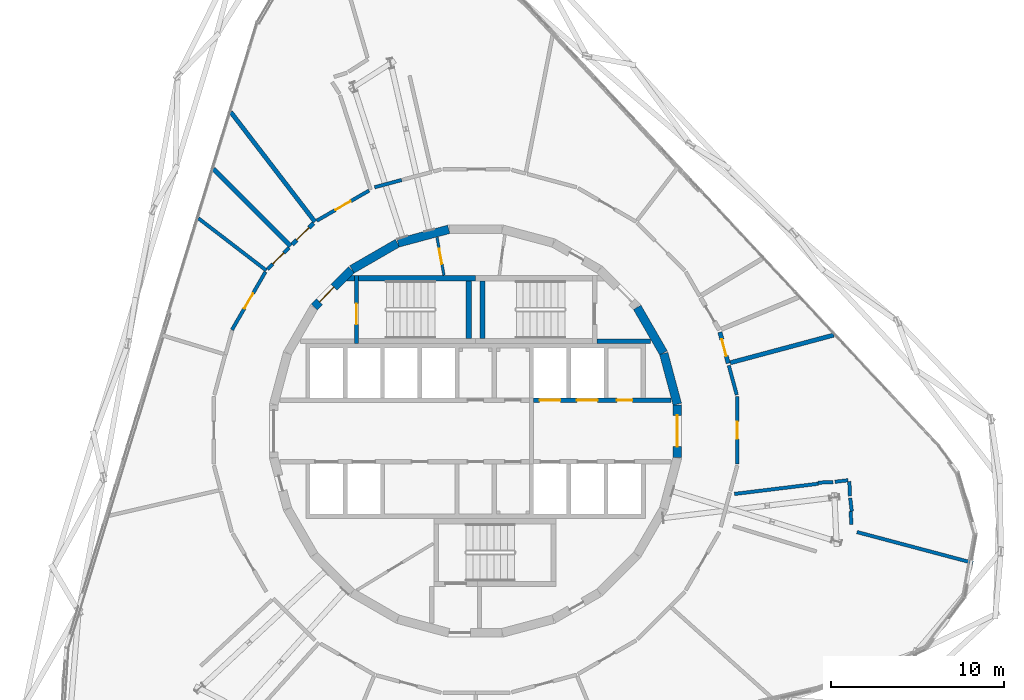
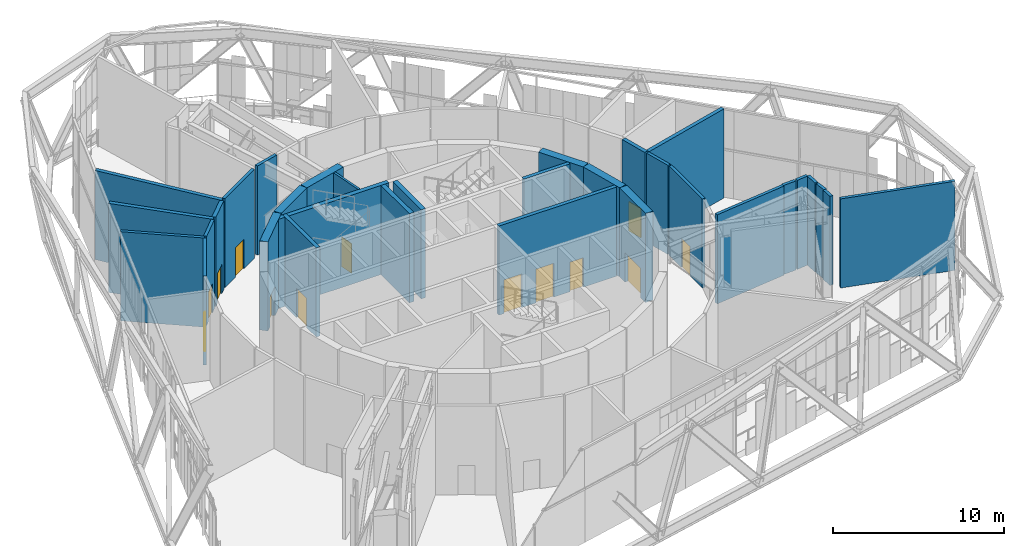
# One storey, part 21 of 25: 33 walls, 13 doors, 13 openings.
"""IFC4 building model written with IfcOpenShell, lengths in metres."""

import ifcopenshell
import ifcopenshell.guid

model = None  # the IFC model being written
_history = None  # IfcOwnerHistory: only IFC2X3 demands one
_inside = {}  # id of a spatial element -> (the spatial element, [elements in it])
_under = {}  # id of a project, library or spatial element -> (it, [spatial elements below it])
_declared = {}  # id of a project -> (the project, [libraries it declares])
_typed = {}  # id of a type object -> (the type object, [elements of that type])
_made_of = {}  # id of a material, layer set ... -> (it, [elements and type objects made of it])


def new_model(schema):
    """Start an empty IFC model of exactly this schema.

    Asked for "IFC4X3", IfcOpenShell would pick the latest addendum, in which some entities
    have other attributes; the version numbers below select the first issue.
    IFC2X3 requires an IfcOwnerHistory on every rooted entity: one is made here for all.
    """
    global model, _history
    if schema == "IFC4X3":
        model = ifcopenshell.file(schema_version=(4, 3, 0, 0))
    else:
        model = ifcopenshell.file(schema=schema)
    _inside.clear()
    _under.clear()
    _declared.clear()
    _typed.clear()
    _made_of.clear()
    _history = None
    if model.schema == "IFC2X3":
        org = make("IfcOrganization", Name="unknown")
        user = make(
            "IfcPersonAndOrganization",
            ThePerson=make("IfcPerson", FamilyName="unknown"),
            TheOrganization=org,
        )
        app = make(
            "IfcApplication",
            ApplicationDeveloper=org,
            Version="unknown",
            ApplicationFullName="unknown",
            ApplicationIdentifier="unknown",
        )
        _history = make(
            "IfcOwnerHistory",
            OwningUser=user,
            OwningApplication=app,
            ChangeAction="ADDED",
            CreationDate=0,
        )
    return model


def make(cls, **values):
    """One entity of the class cls with the attributes given. An attribute that is None is left unset."""
    return model.create_entity(
        cls, **{name: value for name, value in values.items() if value is not None}
    )


def rooted(cls, **values):
    """An entity with a GlobalId (a new one), such as an element, a storey or a relation."""
    return make(cls, GlobalId=ifcopenshell.guid.new(), OwnerHistory=_history, **values)


def si_unit(unit_type, name, prefix=None):
    """IfcSIUnit, for example si_unit("LENGTHUNIT", "METRE", prefix="MILLI")."""
    return make("IfcSIUnit", UnitType=unit_type, Prefix=prefix, Name=name)


def assignment(units):
    """IfcUnitAssignment: the units of a project."""
    return None if units is None else make("IfcUnitAssignment", Units=units)


def point(xyz):
    """IfcCartesianPoint."""
    return None if xyz is None else make("IfcCartesianPoint", Coordinates=xyz)


def direction(xyz):
    """IfcDirection."""
    return None if xyz is None else make("IfcDirection", DirectionRatios=xyz)


def frame(location, z_axis=None, x_axis=None):
    """IfcAxis2Placement3D, a coordinate frame: its origin and axes. An axis left out is left unset."""
    return make(
        "IfcAxis2Placement3D",
        Location=point(location),
        Axis=direction(z_axis),
        RefDirection=direction(x_axis),
    )


def frame_2d(location, x_axis=None):
    """IfcAxis2Placement2D, a coordinate frame in the plane: its origin and x axis."""
    return make(
        "IfcAxis2Placement2D", Location=point(location), RefDirection=direction(x_axis)
    )


def origin():
    """The frame at (0, 0, 0) with its axes left unset."""
    return frame((0.0, 0.0, 0.0))


def place(relative_to, where):
    """IfcLocalPlacement: puts the frame where relative to a parent placement (None: the world)."""
    return make(
        "IfcLocalPlacement", PlacementRelTo=relative_to, RelativePlacement=where
    )


def context(
    kind, dimensions, precision=None, world=None, true_north=None, identifier=None
):
    """IfcGeometricRepresentationContext, for example the 3D "Model" context."""
    return make(
        "IfcGeometricRepresentationContext",
        ContextIdentifier=identifier,
        ContextType=kind,
        CoordinateSpaceDimension=dimensions,
        Precision=precision,
        WorldCoordinateSystem=world,
        TrueNorth=true_north,
    )


def subcontext(parent, identifier, kind, view, scale=None):
    """IfcGeometricRepresentationSubContext, for example "Body" below "Model"."""
    return make(
        "IfcGeometricRepresentationSubContext",
        ContextIdentifier=identifier,
        ContextType=kind,
        ParentContext=parent,
        TargetScale=scale,
        TargetView=view,
    )


def project(units=None, contexts=None):
    """IfcProject with its units and contexts."""
    return rooted(
        "IfcProject",
        Name="project",
        RepresentationContexts=contexts,
        UnitsInContext=assignment(units),
    )


def spatial(cls, under=None, at=None, **own):
    """A site, building, storey or space (cls), placed at a placement, below another one or the project."""
    s = rooted(cls, ObjectPlacement=at, **own)
    if under is not None:
        _under.setdefault(under.id(), (under, []))[1].append(s)
    return s


def polyline(points):
    """IfcPolyline through the points."""
    return make("IfcPolyline", Points=[point(p) for p in points])


def profile(cls, at=None, kind="AREA", **sizes):
    """A parametric profile (cls). Its sizes go by their IFC names, for example OverallWidth=200.0."""
    return make(cls, ProfileType=kind, Position=at, **sizes)


def rectangle(**sizes):
    """IfcRectangleProfileDef."""
    return profile("IfcRectangleProfileDef", **sizes)


def outline(outer, holes=None, kind="AREA"):
    """IfcArbitraryClosedProfileDef: a profile drawn as a closed curve; with holes, ...WithVoids."""
    if holes is None:
        return make("IfcArbitraryClosedProfileDef", ProfileType=kind, OuterCurve=outer)
    return make(
        "IfcArbitraryProfileDefWithVoids",
        ProfileType=kind,
        OuterCurve=outer,
        InnerCurves=holes,
    )


def extrude(swept, where, along, depth):
    """IfcExtrudedAreaSolid: the profile swept, set in the frame where, extruded along a direction by depth."""
    return make(
        "IfcExtrudedAreaSolid",
        SweptArea=swept,
        Position=where,
        ExtrudedDirection=direction(along),
        Depth=depth,
    )


def shape(context_of_items, identifier, shape_type, items):
    """IfcShapeRepresentation: the items that make up one representation, for example the "Body"."""
    return make(
        "IfcShapeRepresentation",
        ContextOfItems=context_of_items,
        RepresentationIdentifier=identifier,
        RepresentationType=shape_type,
        Items=items,
    )


def material(Name=None, Category=None):
    """IfcMaterial."""
    return make("IfcMaterial", Name=Name, Category=Category)


def layer(
    of_material, thickness, ventilated=None, Name=None, Category=None, Priority=None
):
    """IfcMaterialLayer: one layer of a wall or slab, of a material (None: an air gap)."""
    return make(
        "IfcMaterialLayer",
        Material=of_material,
        LayerThickness=thickness,
        IsVentilated=ventilated,
        Name=Name,
        Category=Category,
        Priority=Priority,
    )


def layer_set(layers, Name=None):
    """IfcMaterialLayerSet."""
    return make("IfcMaterialLayerSet", MaterialLayers=layers, LayerSetName=Name)


def made_of(thing, what):
    """Note that an element or type object is made of a material, layer set ...; save() writes the relation."""
    if what is not None:
        _made_of.setdefault(what.id(), (what, []))[1].append(thing)
    return thing


def type_object(cls, material=None, **own):
    """A type object (cls), such as IfcWallType, which elements share."""
    return made_of(rooted(cls, **own), material)


def element(
    cls,
    number,
    at=None,
    inside=None,
    cuts=None,
    type_object=None,
    material=None,
    context=None,
    identifier="Body",
    shape_type=None,
    held_by="IfcProductDefinitionShape",
    body=None,
    shapes=None,
    **own,
):
    """One element of the class cls, such as IfcWall. Its Tag is "e" and its number.

    at: its placement. inside: the storey or other place that contains it. cuts: it is an
    opening in that element (IfcRelVoidsElement). A single representation is given by context,
    identifier, shape_type and body (its items); several are given by shapes. held_by: the class
    of the entity that holds the representations. save() writes the other relations.
    """
    e = rooted(cls, Tag="e%d" % number, ObjectPlacement=at, **own)
    if body is not None:
        shapes = [shape(context, identifier, shape_type, body)]
    if shapes is not None:
        e.Representation = make(held_by, Representations=shapes)
    if inside is not None:
        _inside.setdefault(inside.id(), (inside, []))[1].append(e)
    if cuts is not None:
        rooted(
            "IfcRelVoidsElement", RelatingBuildingElement=cuts, RelatedOpeningElement=e
        )
    if type_object is not None:
        _typed.setdefault(type_object.id(), (type_object, []))[1].append(e)
    return made_of(e, material)


def fill(opening, filler):
    """IfcRelFillsElement: the door or window that sits in an opening."""
    return rooted(
        "IfcRelFillsElement",
        RelatingOpeningElement=opening,
        RelatedBuildingElement=filler,
    )


def aggregate(whole, parts):
    """IfcRelAggregates: a whole, such as a stair, and the parts it consists of."""
    return rooted("IfcRelAggregates", RelatingObject=whole, RelatedObjects=parts)


def save(model, path):
    """Write the relations noted so far, then the file.

    IfcRelAggregates (storeys below a building ...), IfcRelContainedInSpatialStructure (elements
    in a storey), IfcRelDefinesByType, IfcRelAssociatesMaterial and IfcRelDeclares: one each for
    every whole, place, type object, material and project.
    """
    for whole, parts in _under.values():
        aggregate(whole, parts)
    for where, things in _inside.values():
        rooted(
            "IfcRelContainedInSpatialStructure",
            RelatedElements=things,
            RelatingStructure=where,
        )
    for kind, things in _typed.values():
        rooted("IfcRelDefinesByType", RelatedObjects=things, RelatingType=kind)
    for what, things in _made_of.values():
        rooted("IfcRelAssociatesMaterial", RelatedObjects=things, RelatingMaterial=what)
    for by, libraries in _declared.values():
        rooted("IfcRelDeclares", RelatingContext=by, RelatedDefinitions=libraries)
    model.write(path)


model = new_model("IFC4")

# Units and contexts
model_context = context("Model", 3, precision=1e-05, world=origin(), true_north=direction((0.0, 1.0)))
body_context = subcontext(model_context, "Body", "Model", "MODEL_VIEW")
ifc_project = project(units=[si_unit("LENGTHUNIT", "METRE"), si_unit("AREAUNIT", "SQUARE_METRE"), si_unit("VOLUMEUNIT", "CUBIC_METRE"), si_unit("PLANEANGLEUNIT", "RADIAN"), si_unit("MASSUNIT", "GRAM", prefix="KILO")], contexts=[model_context])

# Site, building, storey
site_placement = place(None, origin())
site = spatial("IfcSite", under=ifc_project, at=site_placement, CompositionType="ELEMENT")
building_placement = place(site_placement, origin())
building = spatial("IfcBuilding", under=site, at=building_placement, Name="Spindle Arch Residences", CompositionType="ELEMENT")
storey_placement = place(building_placement, frame((0.0, 0.0, 144.89990234375)))
storey = spatial("IfcBuildingStorey", under=building, at=storey_placement, Name="L36", CompositionType="ELEMENT", Elevation=144.89990234375)

# Wall, opening, door
ifc_material_1 = material(Name="Concrete C50/60", Category="concrete")
ifc_layer_1 = layer(ifc_material_1, 0.5)
ifc_layer_set_1 = layer_set([ifc_layer_1], Name="Core outline wall 500")
wall_type_1 = type_object("IfcWallType", Name="Core outline wall 500", PredefinedType="SHEAR", material=ifc_layer_set_1)
wall_1_placement = place(storey_placement, frame((11.647216796875, -1.516357421875, 0.0), z_axis=(0.0, 0.0, 1.0), x_axis=(0.0, 1.0, 0.0)))
wall_1 = element("IfcWall", 1, at=wall_1_placement, inside=storey, type_object=wall_type_1, Name="Core outline wall 6", PredefinedType="SHEAR", context=body_context, shape_type="SweptSolid", body=[
    extrude(rectangle(XDim=3.03271484375, YDim=0.5, at=frame_2d((1.516357421875, 0.0))), origin(), (0.0, 0.0, 1.0), 6.35009765625),
])
opening_1_placement = place(wall_1_placement, frame((0.6162109375, 0.0, 0.0)))
opening_1 = element("IfcOpeningElement", 2, at=opening_1_placement, cuts=wall_1, Name="Opening L36-FE01", PredefinedType="OPENING", context=body_context, shape_type="SweptSolid", body=[
    extrude(rectangle(XDim=1.800048828125, YDim=2.10009765625, at=frame_2d((0.89990234375, 1.050048828125))), frame((0.0, 0.260009765625, 0.0), z_axis=(0.0, -1.0, 0.0), x_axis=(1.0, 0.0, 0.0)), (0.0, 0.0, 1.0), 0.52001953125),
])
ifc_material_2 = material(Name="Steel, fire-resisting door", Category="steel")
door_type_1 = type_object("IfcDoorType", Name="Fire-lift lobby door 1800x2100", OperationType="DOUBLE_DOOR_SINGLE_SWING", PredefinedType="DOOR", material=ifc_material_2)
door_1_placement = place(opening_1_placement, origin())
door_1 = element("IfcDoor", 3, at=door_1_placement, inside=storey, type_object=door_type_1, Name="Fire-lift lobby door L36-FE01", OperationType="DOUBLE_DOOR_SINGLE_SWING", OverallHeight=2.10009765625, OverallWidth=1.800048828125, PredefinedType="DOOR", context=body_context, shape_type="SweptSolid", body=[
    extrude(rectangle(XDim=1.800048828125, YDim=2.10009765625, at=frame_2d((0.89990234375, 1.050048828125))), frame((0.0, 0.02490234375, 0.0), z_axis=(0.0, -1.0, 0.0), x_axis=(1.0, 0.0, 0.0)), (0.0, 0.0, 1.0), 0.050048828125),
])
fill(opening_1, door_1)

# Walls
for number, where, z_axis, x_axis, name in (
    (4, (11.642822265625, 1.5498046875, 0.0), (0.0, 0.0, 1.0), (-0.258734743916, 0.965948410781, 0.0), "Core outline wall 7"),
    (5, (10.84521484375, 4.510498046875, 0.0), (0.0, 0.0, 1.0), (-0.500087131594, 0.865975092491, 0.0), "Core outline wall 8"),
    (6, (-1.5498046875, 11.642822265625, 0.0), (0.0, 0.0, 1.0), (-0.965948410781, -0.258734743916, 0.0), "Core outline wall 13"),
    (7, (-4.510498046875, 10.84521484375, 0.0), (0.0, 0.0, 1.0), (-0.865975092491, -0.500087131594, 0.0), "Core outline wall 14"),
):
    element("IfcWall", number, at=place(storey_placement, frame(where, z_axis=z_axis, x_axis=x_axis)), inside=storey, type_object=wall_type_1, Name=name, PredefinedType="SHEAR", context=body_context, shape_type="SweptSolid", body=[
        extrude(rectangle(XDim=3.03271484375, YDim=0.5, at=frame_2d((1.516357421875, 0.0))), origin(), (0.0, 0.0, 1.0), 6.35009765625),
    ])

# Wall, opening, door
wall_2_placement = place(storey_placement, frame((-7.163818359375, 9.30810546875, 0.0), z_axis=(0.0, 0.0, 1.0), x_axis=(-0.707106781187, -0.707106781187, 0.0)))
wall_2 = element("IfcWall", 8, at=wall_2_placement, inside=storey, type_object=wall_type_1, Name="Core outline wall 15", PredefinedType="SHEAR", context=body_context, shape_type="SweptSolid", body=[
    extrude(rectangle(XDim=3.032470703125, YDim=0.5, at=frame_2d((1.51611328125, 0.0))), origin(), (0.0, 0.0, 1.0), 6.35009765625),
])
opening_2_placement = place(wall_2_placement, frame((1.416259765625, 0.0, 0.0)))
opening_2 = element("IfcOpeningElement", 9, at=opening_2_placement, cuts=wall_2, Name="Opening L36-AD02", PredefinedType="OPENING", context=body_context, shape_type="SweptSolid", body=[
    extrude(rectangle(XDim=1.199951171875, YDim=2.10009765625, at=frame_2d((0.60009765625, 1.050048828125))), frame((0.0, 0.260009765625, 0.0), z_axis=(0.0, -1.0, 0.0), x_axis=(1.0, 0.0, 0.0)), (0.0, 0.0, 1.0), 0.52001953125),
])
ifc_material_3 = material(Name="Steel, fire-resisting door", Category="steel")
door_type_2 = type_object("IfcDoorType", Name="Stair airlock door 1200x2100", OperationType="SINGLE_SWING_LEFT", PredefinedType="DOOR", material=ifc_material_3)
door_2_placement = place(opening_2_placement, origin())
door_2 = element("IfcDoor", 10, at=door_2_placement, inside=storey, type_object=door_type_2, Name="Stair airlock door L36-AD02", OperationType="SINGLE_SWING_RIGHT", OverallHeight=2.10009765625, OverallWidth=1.199951171875, PredefinedType="DOOR", context=body_context, shape_type="SweptSolid", body=[
    extrude(rectangle(XDim=1.199951171875, YDim=2.10009765625, at=frame_2d((0.60009765625, 1.050048828125))), frame((0.0, 0.02490234375, 0.0), z_axis=(0.0, -1.0, 0.0), x_axis=(1.0, 0.0, 0.0)), (0.0, 0.0, 1.0), 0.050048828125),
])
fill(opening_2, door_2)

# Wall, openings, doors
ifc_material_4 = material(Name="Concrete C40/50", Category="concrete")
ifc_layer_2 = layer(ifc_material_4, 0.25)
ifc_layer_set_2 = layer_set([ifc_layer_2], Name="Fire-lift lobby wall 250")
wall_type_2 = type_object("IfcWallType", Name="Fire-lift lobby wall 250", PredefinedType="SHEAR", material=ifc_layer_set_2)
wall_3_placement = place(storey_placement, frame((3.35009765625, 1.77490234375, 0.0), z_axis=(0.0, 0.0, 1.0), x_axis=(1.0, 0.0, 0.0)))
wall_3 = element("IfcWall", 11, at=wall_3_placement, inside=storey, type_object=wall_type_2, Name="Lift shaft front wall NE", PredefinedType="SHEAR", context=body_context, shape_type="SweptSolid", body=[
    extrude(rectangle(XDim=7.929931640625, YDim=0.25, at=frame_2d((3.96484375, 0.0))), origin(), (0.0, 0.0, 1.0), 6.35009765625),
])
opening_3_placement = place(wall_3_placement, frame((0.35009765625, 0.0, 0.0)))
opening_3 = element("IfcOpeningElement", 12, at=opening_3_placement, cuts=wall_3, Name="Opening L36-SLD01", PredefinedType="OPENING", context=body_context, shape_type="SweptSolid", body=[
    extrude(rectangle(XDim=1.199951171875, YDim=2.39990234375, at=frame_2d((0.60009765625, 1.199951171875))), frame((0.0, 0.135009765625, 0.0), z_axis=(0.0, -1.0, 0.0), x_axis=(1.0, 0.0, 0.0)), (0.0, 0.0, 1.0), 0.27001953125),
])
opening_4_placement = place(wall_3_placement, frame((2.5, 0.0, 0.0)))
opening_4 = element("IfcOpeningElement", 13, at=opening_4_placement, cuts=wall_3, Name="Opening L36-SLD02", PredefinedType="OPENING", context=body_context, shape_type="SweptSolid", body=[
    extrude(rectangle(XDim=1.199951171875, YDim=2.39990234375, at=frame_2d((0.60009765625, 1.199951171875))), frame((0.0, 0.135009765625, 0.0), z_axis=(0.0, -1.0, 0.0), x_axis=(1.0, 0.0, 0.0)), (0.0, 0.0, 1.0), 0.27001953125),
])
opening_5_placement = place(wall_3_placement, frame((4.800048828125, 0.0, 0.0)))
opening_5 = element("IfcOpeningElement", 14, at=opening_5_placement, cuts=wall_3, Name="Opening L36-WD01", PredefinedType="OPENING", context=body_context, shape_type="SweptSolid", body=[
    extrude(rectangle(XDim=0.89990234375, YDim=2.10009765625, at=frame_2d((0.449951171875, 1.050048828125))), frame((0.0, 0.135009765625, 0.0), z_axis=(0.0, -1.0, 0.0), x_axis=(1.0, 0.0, 0.0)), (0.0, 0.0, 1.0), 0.27001953125),
])
ifc_material_5 = material(Name="Steel, fire-resisting landing door", Category="steel")
door_type_3 = type_object("IfcDoorType", Name="Service lift landing door 1200x2400", OperationType="DOUBLE_DOOR_SLIDING", PredefinedType="DOOR", material=ifc_material_5)
door_3_placement = place(opening_3_placement, origin())
door_3 = element("IfcDoor", 15, at=door_3_placement, inside=storey, type_object=door_type_3, Name="Service lift landing door L36-SLD01", OperationType="DOUBLE_DOOR_SLIDING", OverallHeight=2.39990234375, OverallWidth=1.199951171875, PredefinedType="DOOR", context=body_context, shape_type="SweptSolid", body=[
    extrude(rectangle(XDim=1.199951171875, YDim=2.39990234375, at=frame_2d((0.60009765625, 1.199951171875))), frame((0.0, 0.02490234375, 0.0), z_axis=(0.0, -1.0, 0.0), x_axis=(1.0, 0.0, 0.0)), (0.0, 0.0, 1.0), 0.050048828125),
])
fill(opening_3, door_3)
door_4_placement = place(opening_4_placement, origin())
door_4 = element("IfcDoor", 16, at=door_4_placement, inside=storey, type_object=door_type_3, Name="Service lift landing door L36-SLD02", OperationType="DOUBLE_DOOR_SLIDING", OverallHeight=2.39990234375, OverallWidth=1.199951171875, PredefinedType="DOOR", context=body_context, shape_type="SweptSolid", body=[
    extrude(rectangle(XDim=1.199951171875, YDim=2.39990234375, at=frame_2d((0.60009765625, 1.199951171875))), frame((0.0, 0.02490234375, 0.0), z_axis=(0.0, -1.0, 0.0), x_axis=(1.0, 0.0, 0.0)), (0.0, 0.0, 1.0), 0.050048828125),
])
fill(opening_4, door_4)
ifc_material_6 = material(Name="Steel, fire-resisting door", Category="steel")
door_type_4 = type_object("IfcDoorType", Name="Service room door 900x2100", OperationType="SINGLE_SWING_LEFT", PredefinedType="DOOR", material=ifc_material_6)
door_5_placement = place(opening_5_placement, origin())
door_5 = element("IfcDoor", 17, at=door_5_placement, inside=storey, type_object=door_type_4, Name="Service room door L36-WD01", OperationType="SINGLE_SWING_RIGHT", OverallHeight=2.10009765625, OverallWidth=0.89990234375, PredefinedType="DOOR", context=body_context, shape_type="SweptSolid", body=[
    extrude(rectangle(XDim=0.89990234375, YDim=2.10009765625, at=frame_2d((0.449951171875, 1.050048828125))), frame((0.0, 0.02490234375, 0.0), z_axis=(0.0, -1.0, 0.0), x_axis=(1.0, 0.0, 0.0)), (0.0, 0.0, 1.0), 0.050048828125),
])
fill(opening_5, door_5)

# Walls
ifc_material_7 = material(Name="Concrete C25/30 wall", Category="concrete")
ifc_layer_3 = layer(ifc_material_7, 0.25)
ifc_layer_set_3 = layer_set([ifc_layer_3], Name="Partition EI 120 250 store")
wall_type_3 = type_object("IfcWallType", Name="Partition EI 120 250 store", PredefinedType="PARTITIONING", material=ifc_layer_set_3)
wall_4_placement = place(storey_placement, frame((-10.679931640625, 10.679931640625, 0.0), z_axis=(0.0, 0.0, 1.0), x_axis=(-0.707106781187, 0.707106781187, 0.0)))
element("IfcWall", 18, at=wall_4_placement, inside=storey, type_object=wall_type_3, Name="L36-W018", PredefinedType="PARTITIONING", context=body_context, shape_type="SweptSolid", body=[
    extrude(rectangle(XDim=6.293212890625, YDim=0.25, at=frame_2d((3.146484375, 0.0))), origin(), (0.0, 0.0, 1.0), 6.35009765625),
])
wall_5_placement = place(storey_placement, frame((-9.27001953125, 12.080078125, 0.0), z_axis=(0.0, 0.0, 1.0), x_axis=(-0.608983097201, 0.793183199093, 0.0)))
element("IfcWall", 19, at=wall_5_placement, inside=storey, type_object=wall_type_3, Name="L36-W021", PredefinedType="PARTITIONING", context=body_context, shape_type="SweptSolid", body=[
    extrude(rectangle(XDim=7.980224609375, YDim=0.25, at=frame_2d((3.990234375, 0.0))), origin(), (0.0, 0.0, 1.0), 6.35009765625),
])

# Wall, opening, door
wall_6_placement = place(storey_placement, frame((-9.358642578125, 11.991943359375, 0.0), z_axis=(0.0, 0.0, 1.0), x_axis=(-0.709632138317, -0.704572372625, 0.0)))
wall_6 = element("IfcWall", 20, at=wall_6_placement, inside=storey, type_object=wall_type_3, Name="L36-W022", PredefinedType="PARTITIONING", context=body_context, shape_type="SweptSolid", body=[
    extrude(rectangle(XDim=1.737060546875, YDim=0.25, at=frame_2d((0.86865234375, 0.0))), origin(), (0.0, 0.0, 1.0), 6.35009765625),
])
opening_6_placement = place(wall_6_placement, frame((0.368408203125, 0.0, 0.0)))
opening_6 = element("IfcOpeningElement", 21, at=opening_6_placement, cuts=wall_6, Name="Opening L36-D14", PredefinedType="OPENING", context=body_context, shape_type="SweptSolid", body=[
    extrude(rectangle(XDim=1.0, YDim=2.10009765625, at=frame_2d((0.5, 1.050048828125))), frame((0.0, 0.135009765625, 0.0), z_axis=(0.0, -1.0, 0.0), x_axis=(1.0, 0.0, 0.0)), (0.0, 0.0, 1.0), 0.27001953125),
])
ifc_material_8 = material(Name="Steel door leaf, painted", Category="steel")
door_type_5 = type_object("IfcDoorType", Name="Door 1000x2100 EI 60", OperationType="SINGLE_SWING_LEFT", PredefinedType="DOOR", material=ifc_material_8)
door_6_placement = place(opening_6_placement, origin())
door_6 = element("IfcDoor", 22, at=door_6_placement, inside=storey, type_object=door_type_5, Name="L36-D14", OperationType="SINGLE_SWING_LEFT", OverallHeight=2.10009765625, OverallWidth=1.0, PredefinedType="DOOR", context=body_context, shape_type="SweptSolid", body=[
    extrude(rectangle(XDim=1.0, YDim=2.10009765625, at=frame_2d((0.5, 1.050048828125))), frame((0.0, 0.02490234375, 0.0), z_axis=(0.0, -1.0, 0.0), x_axis=(1.0, 0.0, 0.0)), (0.0, 0.0, 1.0), 0.050048828125),
])
fill(opening_6, door_6)

wall_7_placement = place(storey_placement, frame((14.580078125, 3.909912109375, 0.0), z_axis=(0.0, 0.0, 1.0), x_axis=(-0.256764718734, 0.966473941301, 0.0)))
wall_7 = element("IfcWall", 23, at=wall_7_placement, inside=storey, type_object=wall_type_3, Name="L36-W058", PredefinedType="PARTITIONING", context=body_context, shape_type="SweptSolid", body=[
    extrude(rectangle(XDim=1.86181640625, YDim=0.25, at=frame_2d((0.930908203125, 0.0))), origin(), (0.0, 0.0, 1.0), 6.35009765625),
])
opening_7_placement = place(wall_7_placement, frame((0.430908203125, 0.0, 0.0)))
opening_7 = element("IfcOpeningElement", 24, at=opening_7_placement, cuts=wall_7, Name="Opening L36-D09", PredefinedType="OPENING", context=body_context, shape_type="SweptSolid", body=[
    extrude(rectangle(XDim=1.0, YDim=2.10009765625, at=frame_2d((0.5, 1.050048828125))), frame((0.0, 0.135009765625, 0.0), z_axis=(0.0, -1.0, 0.0), x_axis=(1.0, 0.0, 0.0)), (0.0, 0.0, 1.0), 0.27001953125),
])
door_7_placement = place(opening_7_placement, origin())
door_7 = element("IfcDoor", 25, at=door_7_placement, inside=storey, type_object=door_type_5, Name="L36-D09", OperationType="SINGLE_SWING_LEFT", OverallHeight=2.10009765625, OverallWidth=1.0, PredefinedType="DOOR", context=body_context, shape_type="SweptSolid", body=[
    extrude(rectangle(XDim=1.0, YDim=2.10009765625, at=frame_2d((0.5, 1.050048828125))), frame((0.0, 0.02490234375, 0.0), z_axis=(0.0, -1.0, 0.0), x_axis=(1.0, 0.0, 0.0)), (0.0, 0.0, 1.0), 0.050048828125),
])
fill(opening_7, door_7)

# Walls
wall_8_placement = place(storey_placement, frame((14.70068359375, 3.9423828125, 0.0), z_axis=(0.0, 0.0, 1.0), x_axis=(0.965998462852, 0.258547809444, 0.0)))
element("IfcWall", 26, at=wall_8_placement, inside=storey, type_object=wall_type_3, Name="L36-W059", PredefinedType="PARTITIONING", context=body_context, shape_type="SweptSolid", body=[
    extrude(rectangle(XDim=6.179443359375, YDim=0.25, at=frame_2d((3.08984375, 0.0))), origin(), (0.0, 0.0, 1.0), 6.35009765625),
])
ifc_material_9 = material(Name="Gypsum board partition on steel studs", Category="steel")
ifc_layer_4 = layer(ifc_material_9, 0.199951171875)
ifc_layer_set_4 = layer_set([ifc_layer_4], Name="Partition EI 60 200 amenity")
wall_type_4 = type_object("IfcWallType", Name="Partition EI 60 200 amenity", PredefinedType="PARTITIONING", material=ifc_layer_set_4)
wall_9_placement = place(storey_placement, frame((-12.080078125, 9.27001953125, 0.0), z_axis=(0.0, 0.0, 1.0), x_axis=(-0.793143396139, 0.609034935912, 0.0)))
element("IfcWall", 27, at=wall_9_placement, inside=storey, type_object=wall_type_4, Name="L36-W014", PredefinedType="PARTITIONING", context=body_context, shape_type="SweptSolid", body=[
    extrude(rectangle(XDim=4.9423828125, YDim=0.199951171875, at=frame_2d((2.47119140625, 0.0))), origin(), (0.0, 0.0, 1.0), 6.35009765625),
])

# Wall, opening, door
wall_10_placement = place(storey_placement, frame((-12.1298828125, 9.183349609375, 0.0), z_axis=(0.0, 0.0, 1.0), x_axis=(-0.499988873232, -0.866031827731, 0.0)))
wall_10 = element("IfcWall", 28, at=wall_10_placement, inside=storey, type_object=wall_type_4, Name="L36-W015", PredefinedType="PARTITIONING", context=body_context, shape_type="SweptSolid", body=[
    extrude(rectangle(XDim=3.8603515625, YDim=0.199951171875, at=frame_2d((1.93017578125, 0.0))), origin(), (0.0, 0.0, 1.0), 6.35009765625),
])
opening_8_placement = place(wall_10_placement, frame((1.43017578125, 0.0, 0.0)))
opening_8 = element("IfcOpeningElement", 29, at=opening_8_placement, cuts=wall_10, Name="Opening L36-D11", PredefinedType="OPENING", context=body_context, shape_type="SweptSolid", body=[
    extrude(rectangle(XDim=1.0, YDim=2.10009765625, at=frame_2d((0.5, 1.050048828125))), frame((0.0, 0.10986328125, 0.0), z_axis=(0.0, -1.0, 0.0), x_axis=(1.0, 0.0, 0.0)), (0.0, 0.0, 1.0), 0.219970703125),
])
ifc_material_10 = material(Name="Timber door leaf", Category="wood")
door_type_6 = type_object("IfcDoorType", Name="Door 1000x2100 EI 30", OperationType="SINGLE_SWING_LEFT", PredefinedType="DOOR", material=ifc_material_10)
door_8_placement = place(opening_8_placement, origin())
door_8 = element("IfcDoor", 30, at=door_8_placement, inside=storey, type_object=door_type_6, Name="L36-D11", OperationType="SINGLE_SWING_LEFT", OverallHeight=2.10009765625, OverallWidth=1.0, PredefinedType="DOOR", context=body_context, shape_type="SweptSolid", body=[
    extrude(rectangle(XDim=1.0, YDim=2.10009765625, at=frame_2d((0.5, 1.050048828125))), frame((0.0, 0.02490234375, 0.0), z_axis=(0.0, -1.0, 0.0), x_axis=(1.0, 0.0, 0.0)), (0.0, 0.0, 1.0), 0.050048828125),
])
fill(opening_8, door_8)

wall_11_placement = place(storey_placement, frame((-10.76806640625, 10.59130859375, 0.0), z_axis=(0.0, 0.0, 1.0), x_axis=(-0.704608193982, -0.709596570576, 0.0)))
wall_11 = element("IfcWall", 31, at=wall_11_placement, inside=storey, type_object=wall_type_4, Name="L36-W019", PredefinedType="PARTITIONING", context=body_context, shape_type="SweptSolid", body=[
    extrude(rectangle(XDim=1.761962890625, YDim=0.199951171875, at=frame_2d((0.880859375, 0.0))), origin(), (0.0, 0.0, 1.0), 6.35009765625),
])
opening_9_placement = place(wall_11_placement, frame((0.430908203125, 0.0, 0.0)))
opening_9 = element("IfcOpeningElement", 32, at=opening_9_placement, cuts=wall_11, Name="Opening L36-D13", PredefinedType="OPENING", context=body_context, shape_type="SweptSolid", body=[
    extrude(rectangle(XDim=0.89990234375, YDim=2.10009765625, at=frame_2d((0.449951171875, 1.050048828125))), frame((0.0, 0.10986328125, 0.0), z_axis=(0.0, -1.0, 0.0), x_axis=(1.0, 0.0, 0.0)), (0.0, 0.0, 1.0), 0.219970703125),
])
ifc_material_11 = material(Name="Timber door leaf", Category="wood")
door_type_7 = type_object("IfcDoorType", Name="Door 900x2100 EI 30", OperationType="SINGLE_SWING_LEFT", PredefinedType="DOOR", material=ifc_material_11)
door_9_placement = place(opening_9_placement, origin())
door_9 = element("IfcDoor", 33, at=door_9_placement, inside=storey, type_object=door_type_7, Name="L36-D13", OperationType="SINGLE_SWING_LEFT", OverallHeight=2.10009765625, OverallWidth=0.89990234375, PredefinedType="DOOR", context=body_context, shape_type="SweptSolid", body=[
    extrude(rectangle(XDim=0.89990234375, YDim=2.10009765625, at=frame_2d((0.449951171875, 1.050048828125))), frame((0.0, 0.02490234375, 0.0), z_axis=(0.0, -1.0, 0.0), x_axis=(1.0, 0.0, 0.0)), (0.0, 0.0, 1.0), 0.050048828125),
])
fill(opening_9, door_9)

wall_12_placement = place(storey_placement, frame((-6.146728515625, 13.880126953125, 0.0), z_axis=(0.0, 0.0, 1.0), x_axis=(-0.866380576307, -0.499384317933, 0.0)))
wall_12 = element("IfcWall", 34, at=wall_12_placement, inside=storey, type_object=wall_type_4, Name="L36-W029", PredefinedType="PARTITIONING", context=body_context, shape_type="SweptSolid", body=[
    extrude(rectangle(XDim=3.47998046875, YDim=0.199951171875, at=frame_2d((1.739990234375, 0.0))), origin(), (0.0, 0.0, 1.0), 6.35009765625),
])
opening_10_placement = place(wall_12_placement, frame((1.239990234375, 0.0, 0.0)))
opening_10 = element("IfcOpeningElement", 35, at=opening_10_placement, cuts=wall_12, Name="Opening L36-D16", PredefinedType="OPENING", context=body_context, shape_type="SweptSolid", body=[
    extrude(rectangle(XDim=1.0, YDim=2.10009765625, at=frame_2d((0.5, 1.050048828125))), frame((0.0, 0.10986328125, 0.0), z_axis=(0.0, -1.0, 0.0), x_axis=(1.0, 0.0, 0.0)), (0.0, 0.0, 1.0), 0.219970703125),
])
door_10_placement = place(opening_10_placement, origin())
door_10 = element("IfcDoor", 36, at=door_10_placement, inside=storey, type_object=door_type_6, Name="L36-D16", OperationType="SINGLE_SWING_LEFT", OverallHeight=2.10009765625, OverallWidth=1.0, PredefinedType="DOOR", context=body_context, shape_type="SweptSolid", body=[
    extrude(rectangle(XDim=1.0, YDim=2.10009765625, at=frame_2d((0.5, 1.050048828125))), frame((0.0, 0.02490234375, 0.0), z_axis=(0.0, -1.0, 0.0), x_axis=(1.0, 0.0, 0.0)), (0.0, 0.0, 1.0), 0.050048828125),
])
fill(opening_10, door_10)

# Wall
wall_13_placement = place(storey_placement, frame((-4.27001953125, 14.489990234375, 0.0), z_axis=(0.0, 0.0, 1.0), x_axis=(-0.965630347497, -0.259919279764, 0.0)))
element("IfcWall", 37, at=wall_13_placement, inside=storey, type_object=wall_type_4, Name="L36-W032", PredefinedType="PARTITIONING", context=body_context, shape_type="SweptSolid", body=[
    extrude(rectangle(XDim=1.615478515625, YDim=0.199951171875, at=frame_2d((0.8076171875, 0.0))), origin(), (0.0, 0.0, 1.0), 6.35009765625),
])

# Wall, opening, door
wall_14_placement = place(storey_placement, frame((15.10009765625, -1.889892578125, 0.0), z_axis=(0.0, 0.0, 1.0), x_axis=(0.0, 1.0, 0.0)))
wall_14 = element("IfcWall", 38, at=wall_14_placement, inside=storey, type_object=wall_type_4, Name="L36-W062", PredefinedType="PARTITIONING", context=body_context, shape_type="SweptSolid", body=[
    extrude(rectangle(XDim=3.8798828125, YDim=0.199951171875, at=frame_2d((1.93994140625, 0.0))), origin(), (0.0, 0.0, 1.0), 6.35009765625),
])
opening_11_placement = place(wall_14_placement, frame((1.43994140625, 0.0, 0.0)))
opening_11 = element("IfcOpeningElement", 39, at=opening_11_placement, cuts=wall_14, Name="Opening L36-D07", PredefinedType="OPENING", context=body_context, shape_type="SweptSolid", body=[
    extrude(rectangle(XDim=1.0, YDim=2.10009765625, at=frame_2d((0.5, 1.050048828125))), frame((0.0, 0.10986328125, 0.0), z_axis=(0.0, -1.0, 0.0), x_axis=(1.0, 0.0, 0.0)), (0.0, 0.0, 1.0), 0.219970703125),
])
door_11_placement = place(opening_11_placement, origin())
door_11 = element("IfcDoor", 40, at=door_11_placement, inside=storey, type_object=door_type_6, Name="L36-D07", OperationType="SINGLE_SWING_LEFT", OverallHeight=2.10009765625, OverallWidth=1.0, PredefinedType="DOOR", context=body_context, shape_type="SweptSolid", body=[
    extrude(rectangle(XDim=1.0, YDim=2.10009765625, at=frame_2d((0.5, 1.050048828125))), frame((0.0, 0.02490234375, 0.0), z_axis=(0.0, -1.0, 0.0), x_axis=(1.0, 0.0, 0.0)), (0.0, 0.0, 1.0), 0.050048828125),
])
fill(opening_11, door_11)

# Walls
wall_15_placement = place(storey_placement, frame((15.073974609375, 2.08642578125, 0.0), z_axis=(0.0, 0.0, 1.0), x_axis=(-0.261407417774, 0.965228554247, 0.0)))
element("IfcWall", 41, at=wall_15_placement, inside=storey, type_object=wall_type_4, Name="L36-W063", PredefinedType="PARTITIONING", context=body_context, shape_type="SweptSolid", body=[
    extrude(rectangle(XDim=1.76416015625, YDim=0.199951171875, at=frame_2d((0.882080078125, 0.0))), origin(), (0.0, 0.0, 1.0), 6.35009765625),
])
wall_16_placement = place(storey_placement, frame((19.780029296875, -3.0400390625, 0.0), z_axis=(0.0, 0.0, 1.0), x_axis=(-0.992655999792, -0.120971344035, 0.0)))
element("IfcWall", 42, at=wall_16_placement, inside=storey, type_object=wall_type_4, Name="L36-W064", PredefinedType="PARTITIONING", context=body_context, shape_type="SweptSolid", body=[
    extrude(rectangle(XDim=4.8759765625, YDim=0.199951171875, at=frame_2d((2.43798828125, 0.0))), origin(), (0.0, 0.0, 1.0), 6.35009765625),
])
wall_17_placement = place(storey_placement, frame((20.639892578125, -2.93994140625, 0.0), z_axis=(0.0, 0.0, 1.0), x_axis=(-0.998942362986, -0.045979945981, 0.0)))
element("IfcWall", 43, at=wall_17_placement, inside=storey, type_object=wall_type_4, Name="L36-W065", PredefinedType="PARTITIONING", context=body_context, shape_type="SweptSolid", body=[
    extrude(rectangle(XDim=0.870849609375, YDim=0.199951171875, at=frame_2d((0.435546875, 0.0))), origin(), (0.0, 0.0, 1.0), 6.35009765625),
])
wall_18_placement = place(storey_placement, frame((21.5, -2.840087890625, 0.0), z_axis=(0.0, 0.0, 1.0), x_axis=(-0.993319282503, -0.11539845323, 0.0)))
element("IfcWall", 44, at=wall_18_placement, inside=storey, type_object=wall_type_4, Name="L36-W066", PredefinedType="PARTITIONING", context=body_context, shape_type="SweptSolid", body=[
    extrude(rectangle(XDim=0.765869140625, YDim=0.199951171875, at=frame_2d((0.3828125, 0.0))), origin(), (0.0, 0.0, 1.0), 6.35009765625),
])
wall_19_placement = place(storey_placement, frame((21.610107421875, -3.760009765625, 0.0), z_axis=(0.0, 0.0, 1.0), x_axis=(-0.046500877902, 0.998918249085, 0.0)))
element("IfcWall", 45, at=wall_19_placement, inside=storey, type_object=wall_type_4, Name="L36-W067", PredefinedType="PARTITIONING", context=body_context, shape_type="SweptSolid", body=[
    extrude(rectangle(XDim=0.861083984375, YDim=0.199951171875, at=frame_2d((0.4306640625, 0.0))), origin(), (0.0, 0.0, 1.0), 6.35009765625),
])
wall_20_placement = place(storey_placement, frame((21.685791015625, -5.391845703125, 0.0), z_axis=(0.0, 0.0, 1.0), x_axis=(-0.04704813062, 0.998892623561, 0.0)))
element("IfcWall", 46, at=wall_20_placement, inside=storey, type_object=wall_type_4, Name="L36-W068", PredefinedType="PARTITIONING", context=body_context, shape_type="SweptSolid", body=[
    extrude(rectangle(XDim=0.7626953125, YDim=0.199951171875, at=frame_2d((0.38134765625, 0.0))), origin(), (0.0, 0.0, 1.0), 6.35009765625),
])
wall_21_placement = place(storey_placement, frame((21.7099609375, -4.6298828125, 0.0), z_axis=(0.0, 0.0, 1.0), x_axis=(-0.114265663262, 0.993450229352, 0.0)))
element("IfcWall", 47, at=wall_21_placement, inside=storey, type_object=wall_type_4, Name="L36-W069", PredefinedType="PARTITIONING", context=body_context, shape_type="SweptSolid", body=[
    extrude(rectangle(XDim=0.775634765625, YDim=0.199951171875, at=frame_2d((0.3876953125, 0.0))), origin(), (0.0, 0.0, 1.0), 6.35009765625),
])
wall_22_placement = place(storey_placement, frame((22.01123046875, -5.828857421875, 0.0), z_axis=(0.0, 0.0, 1.0), x_axis=(0.966417091156, -0.25697860985, 0.0)))
element("IfcWall", 48, at=wall_22_placement, inside=storey, type_object=wall_type_4, Name="L36-W070", PredefinedType="PARTITIONING", context=body_context, shape_type="SweptSolid", body=[
    extrude(rectangle(XDim=6.931396484375, YDim=0.199951171875, at=frame_2d((3.4658203125, 0.0))), origin(), (0.0, 0.0, 1.0), 6.35009765625),
])

# Wall, opening, door
ifc_material_12 = material(Name="Concrete C25/30", Category="concrete")
ifc_layer_5 = layer(ifc_material_12, 0.14990234375)
ifc_layer_set_5 = layer_set([ifc_layer_5], Name="Service room partition 150")
wall_type_5 = type_object("IfcWallType", Name="Service room partition 150", PredefinedType="PARTITIONING", material=ifc_layer_set_5)
wall_23_placement = place(storey_placement, frame((-1.824951171875, 8.98974609375, 0.0), z_axis=(0.0, 0.0, 1.0), x_axis=(-0.179955206115, 0.983674805915, 0.0)))
wall_23 = element("IfcWall", 49, at=wall_23_placement, inside=storey, type_object=wall_type_5, Name="Core service room partition", PredefinedType="PARTITIONING", context=body_context, shape_type="SweptSolid", body=[
    extrude(rectangle(XDim=2.22900390625, YDim=0.14990234375, at=frame_2d((1.114501953125, 0.0))), origin(), (0.0, 0.0, 1.0), 6.35009765625),
])
opening_12_placement = place(wall_23_placement, frame((0.66455078125, 0.0, 0.0)))
opening_12 = element("IfcOpeningElement", 50, at=opening_12_placement, cuts=wall_23, Name="Opening L36-WD09", PredefinedType="OPENING", context=body_context, shape_type="SweptSolid", body=[
    extrude(rectangle(XDim=0.89990234375, YDim=2.10009765625, at=frame_2d((0.449951171875, 1.050048828125))), frame((0.0, 0.0849609375, 0.0), z_axis=(0.0, -1.0, 0.0), x_axis=(1.0, 0.0, 0.0)), (0.0, 0.0, 1.0), 0.169921875),
])
door_12_placement = place(opening_12_placement, origin())
door_12 = element("IfcDoor", 51, at=door_12_placement, inside=storey, type_object=door_type_4, Name="Service room door L36-WD09", OperationType="SINGLE_SWING_RIGHT", OverallHeight=2.10009765625, OverallWidth=0.89990234375, PredefinedType="DOOR", context=body_context, shape_type="SweptSolid", body=[
    extrude(rectangle(XDim=0.89990234375, YDim=2.10009765625, at=frame_2d((0.449951171875, 1.050048828125))), frame((0.0, 0.02490234375, 0.0), z_axis=(0.0, -1.0, 0.0), x_axis=(1.0, 0.0, 0.0)), (0.0, 0.0, 1.0), 0.050048828125),
])
fill(opening_12, door_12)

# Walls
ifc_material_13 = material(Name="Concrete C40/50", Category="concrete")
ifc_layer_6 = layer(ifc_material_13, 0.25)
ifc_layer_set_6 = layer_set([ifc_layer_6], Name="Stair airlock wall 250")
wall_type_6 = type_object("IfcWallType", Name="Stair airlock wall 250", PredefinedType="SHEAR", material=ifc_layer_set_6)
wall_24_placement = place(storey_placement, frame((7.0, 5.175048828125, 0.0), z_axis=(0.0, 0.0, 1.0), x_axis=(1.0, 0.0, 0.0)))
element("IfcWall", 52, at=wall_24_placement, inside=storey, type_object=wall_type_6, Name="Stair ST-1 airlock wall S", PredefinedType="SHEAR", context=body_context, shape_type="SweptSolid", body=[
    extrude(rectangle(XDim=3.10009765625, YDim=0.25, at=frame_2d((1.550048828125, 0.0))), origin(), (0.0, 0.0, 1.0), 6.35009765625),
])
ifc_material_14 = material(Name="Concrete C40/50", Category="concrete")
wall_type_7 = type_object("IfcWallType", Name="Stair airlock wall profile", PredefinedType="SHEAR", material=ifc_material_14)
wall_25_placement = place(storey_placement, origin())
element("IfcWall", 53, at=wall_25_placement, inside=storey, type_object=wall_type_7, Name="Stair ST-2 airlock wall N", PredefinedType="SHEAR", context=body_context, shape_type="SweptSolid", body=[
    extrude(outline(polyline([(-7.148193359375, 8.969970703125), (-7.0, 8.969970703125), (-7.0, 8.669921875), (-7.4482421875, 8.669921875), (-7.148193359375, 8.969970703125)])), origin(), (0.0, 0.0, 1.0), 6.35009765625),
])

# Wall, opening, door
ifc_material_15 = material(Name="Concrete C50/60", Category="concrete")
ifc_layer_7 = layer(ifc_material_15, 0.25)
ifc_layer_set_7 = layer_set([ifc_layer_7], Name="Stair enclosure wall 250")
wall_type_8 = type_object("IfcWallType", Name="Stair enclosure wall 250", PredefinedType="SHEAR", material=ifc_layer_set_7)
wall_26_placement = place(storey_placement, frame((-6.875, 8.969970703125, 0.0), z_axis=(0.0, 0.0, 1.0), x_axis=(0.0, -1.0, 0.0)))
wall_26 = element("IfcWall", 54, at=wall_26_placement, inside=storey, type_object=wall_type_8, Name="Stair ST-2 door wall", PredefinedType="SHEAR", context=body_context, shape_type="SweptSolid", body=[
    extrude(rectangle(XDim=3.919921875, YDim=0.25, at=frame_2d((1.9599609375, 0.0))), origin(), (0.0, 0.0, 1.0), 6.35009765625),
])
opening_13_placement = place(wall_26_placement, frame((1.610107421875, 0.0, 0.0)))
opening_13 = element("IfcOpeningElement", 55, at=opening_13_placement, cuts=wall_26, Name="Opening L36-SD02", PredefinedType="OPENING", context=body_context, shape_type="SweptSolid", body=[
    extrude(rectangle(XDim=1.199951171875, YDim=2.10009765625, at=frame_2d((0.60009765625, 1.050048828125))), frame((0.0, 0.135009765625, 0.0), z_axis=(0.0, -1.0, 0.0), x_axis=(1.0, 0.0, 0.0)), (0.0, 0.0, 1.0), 0.27001953125),
])
ifc_material_16 = material(Name="Steel, fire-resisting door", Category="steel")
door_type_8 = type_object("IfcDoorType", Name="Stair door 1200x2100", OperationType="SINGLE_SWING_RIGHT", PredefinedType="DOOR", material=ifc_material_16)
door_13_placement = place(opening_13_placement, origin())
door_13 = element("IfcDoor", 56, at=door_13_placement, inside=storey, type_object=door_type_8, Name="Stair door L36-SD02", OperationType="SINGLE_SWING_LEFT", OverallHeight=2.10009765625, OverallWidth=1.199951171875, PredefinedType="DOOR", context=body_context, shape_type="SweptSolid", body=[
    extrude(rectangle(XDim=1.199951171875, YDim=2.10009765625, at=frame_2d((0.60009765625, 1.050048828125))), frame((0.0, 0.02490234375, 0.0), z_axis=(0.0, -1.0, 0.0), x_axis=(1.0, 0.0, 0.0)), (0.0, 0.0, 1.0), 0.050048828125),
])
fill(opening_13, door_13)

# Walls
ifc_material_17 = material(Name="Concrete C50/60", Category="concrete")
ifc_layer_8 = layer(ifc_material_17, 0.300048828125)
ifc_layer_set_8 = layer_set([ifc_layer_8], Name="Stair enclosure wall 300")
wall_type_9 = type_object("IfcWallType", Name="Stair enclosure wall 300", PredefinedType="SHEAR", material=ifc_layer_set_8)
wall_27_placement = place(storey_placement, frame((0.39990234375, 5.35009765625, 0.0), z_axis=(0.0, 0.0, 1.0), x_axis=(0.0, 1.0, 0.0)))
element("IfcWall", 57, at=wall_27_placement, inside=storey, type_object=wall_type_9, Name="Stair ST-1 enclosure wall F", PredefinedType="SHEAR", context=body_context, shape_type="SweptSolid", body=[
    extrude(rectangle(XDim=3.31982421875, YDim=0.300048828125, at=frame_2d((1.659912109375, 0.0))), origin(), (0.0, 0.0, 1.0), 6.35009765625),
])
wall_28_placement = place(storey_placement, frame((-6.75, 8.820068359375, 0.0), z_axis=(0.0, 0.0, 1.0), x_axis=(1.0, 0.0, 0.0)))
element("IfcWall", 58, at=wall_28_placement, inside=storey, type_object=wall_type_9, Name="Stair ST-2 enclosure wall N", PredefinedType="SHEAR", context=body_context, shape_type="SweptSolid", body=[
    extrude(rectangle(XDim=6.75, YDim=0.300048828125, at=frame_2d((3.375, 0.0))), origin(), (0.0, 0.0, 1.0), 6.35009765625),
])
wall_29_placement = place(storey_placement, frame((-0.39990234375, 5.35009765625, 0.0), z_axis=(0.0, 0.0, 1.0), x_axis=(0.0, 1.0, 0.0)))
element("IfcWall", 59, at=wall_29_placement, inside=storey, type_object=wall_type_9, Name="Stair ST-2 enclosure wall F", PredefinedType="SHEAR", context=body_context, shape_type="SweptSolid", body=[
    extrude(rectangle(XDim=3.31982421875, YDim=0.300048828125, at=frame_2d((1.659912109375, 0.0))), origin(), (0.0, 0.0, 1.0), 6.35009765625),
])

save(model, "model.ifc")
